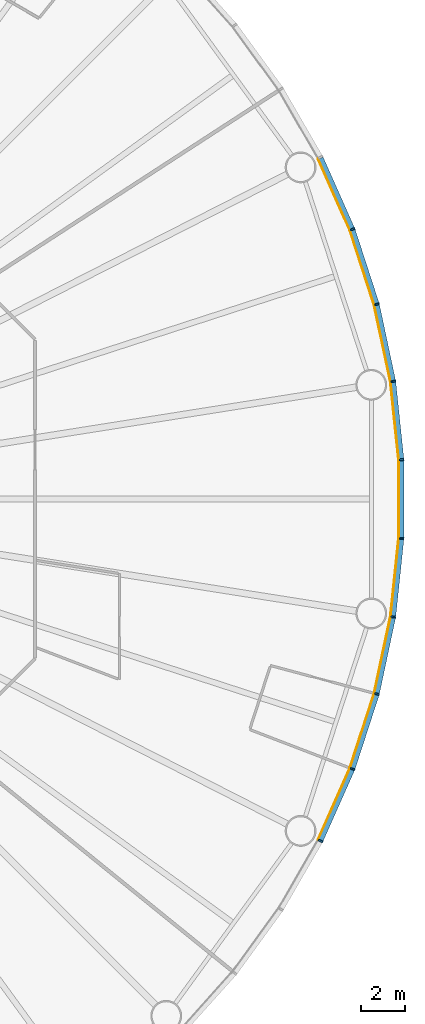
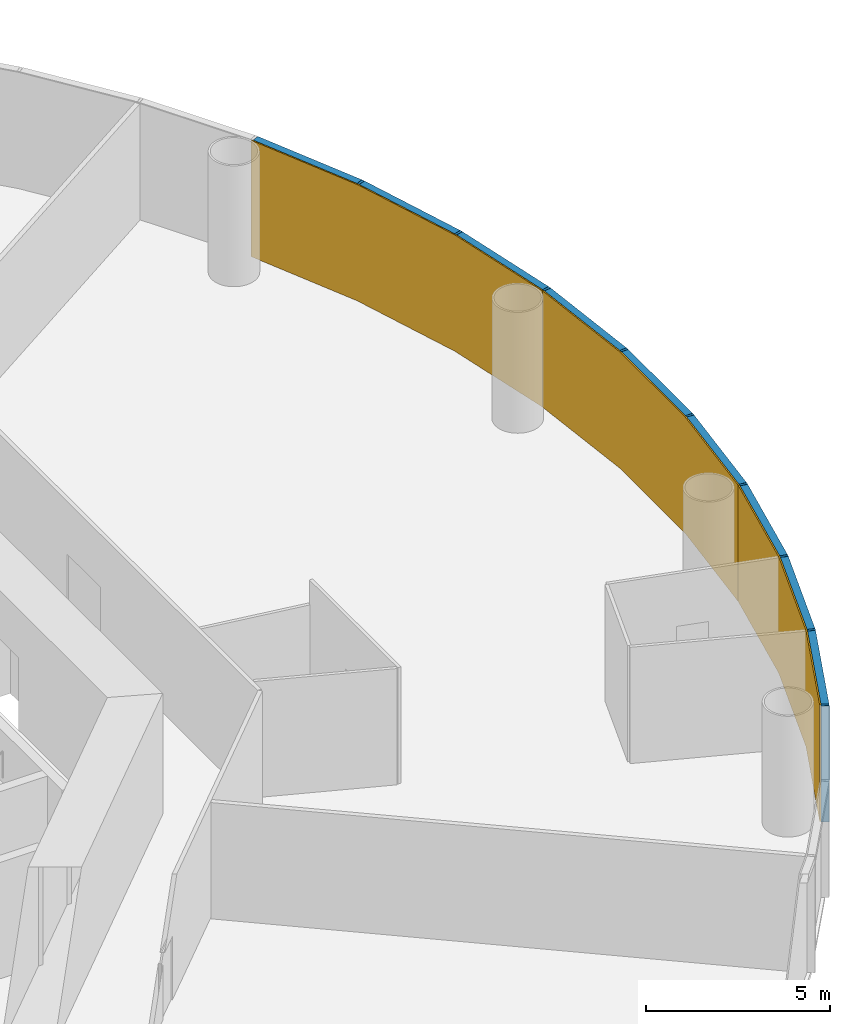
# One storey, part 11 of 13: 18 members, 3 curtain walls.
"""IFC4 building model written with IfcOpenShell, lengths in metres."""

from ifc_helpers import new_model, si_unit, direction, frame, origin, origin_2d, place, context, subcontext, project, spatial, polyline, rectangle, outline, extrude, material, layer, layer_set, material_profile, profile_set, type_object, element, aggregate, save


model = new_model("IFC4")

# Units and contexts
model_context = context("Model", 3, precision=1e-05, world=origin(), true_north=direction((0.0, 1.0)))
body_context = subcontext(model_context, "Body", "Model", "MODEL_VIEW")
ifc_project = project(units=[si_unit("LENGTHUNIT", "METRE"), si_unit("AREAUNIT", "SQUARE_METRE"), si_unit("VOLUMEUNIT", "CUBIC_METRE"), si_unit("PLANEANGLEUNIT", "RADIAN"), si_unit("MASSUNIT", "GRAM", prefix="KILO")], contexts=[model_context])

# Member
ifc_material_1 = material(Name="Anodised aluminium", Category="aluminium")
ifc_material_profile_1 = material_profile(ifc_material_1, rectangle(XDim=0.074951171875, YDim=0.219970703125, at=origin_2d()), Name="Mullion 75 x 220 mm anodised aluminium")
ifc_profile_set_1 = profile_set([ifc_material_profile_1], Name="Anodised aluminium")
member_type_1 = type_object("IfcMemberType", Name="Mullion 75 x 220 mm anodised aluminium", PredefinedType="MULLION", material=ifc_profile_set_1)
site_placement = place(None, origin())
building_placement = place(site_placement, origin())
storey_placement = place(building_placement, frame((0.0, 0.0, 30.0)))
member_1_placement = place(storey_placement, frame((123.68994140625, 85.3359375, 0.0), z_axis=(0.0, 0.0, 1.0), x_axis=(-0.15643446504, 0.987688340595, 0.0)))
member_1 = element("IfcMember", 1, at=member_1_placement, type_object=member_type_1, Name="MULLION L05-00", PredefinedType="MULLION", context=body_context, shape_type="SweptSolid", body=[
    extrude(rectangle(XDim=0.074951171875, YDim=0.219970703125, at=origin_2d()), origin(), (0.0, 0.0, 1.0), 3.85009765625),
])

member_2_placement = place(storey_placement, frame((122.94775390625, 88.828369140625, 0.0), z_axis=(0.0, 0.0, 1.0), x_axis=(-0.258819045103, 0.965925826289, 0.0)))
member_2 = element("IfcMember", 2, at=member_2_placement, type_object=member_type_1, Name="MULLION L05-01", PredefinedType="MULLION", context=body_context, shape_type="SweptSolid", body=[
    extrude(rectangle(XDim=0.074951171875, YDim=0.219970703125, at=origin_2d()), origin(), (0.0, 0.0, 1.0), 3.85009765625),
])

member_3_placement = place(storey_placement, frame((121.844482421875, 92.223876953125, 0.0), z_axis=(0.0, 0.0, 1.0), x_axis=(-0.358367949545, 0.933580426497, 0.0)))
member_3 = element("IfcMember", 3, at=member_3_placement, type_object=member_type_1, Name="MULLION L05-02", PredefinedType="MULLION", context=body_context, shape_type="SweptSolid", body=[
    extrude(rectangle(XDim=0.074951171875, YDim=0.219970703125, at=origin_2d()), origin(), (0.0, 0.0, 1.0), 3.85009765625),
])

member_4_placement = place(storey_placement, frame((120.392333984375, 64.514404296875, 0.0), z_axis=(0.0, 0.0, 1.0), x_axis=(0.45399049974, 0.891006524188, 0.0)))
member_4 = element("IfcMember", 4, at=member_4_placement, type_object=member_type_1, Name="MULLION L05-54", PredefinedType="MULLION", context=body_context, shape_type="SweptSolid", body=[
    extrude(rectangle(XDim=0.074951171875, YDim=0.219970703125, at=origin_2d()), origin(), (0.0, 0.0, 1.0), 3.85009765625),
])

member_5_placement = place(storey_placement, frame((121.844482421875, 67.776123046875, 0.0), z_axis=(0.0, 0.0, 1.0), x_axis=(0.358367949545, 0.933580426497, 0.0)))
member_5 = element("IfcMember", 5, at=member_5_placement, type_object=member_type_1, Name="MULLION L05-55", PredefinedType="MULLION", context=body_context, shape_type="SweptSolid", body=[
    extrude(rectangle(XDim=0.074951171875, YDim=0.219970703125, at=origin_2d()), origin(), (0.0, 0.0, 1.0), 3.85009765625),
])

member_6_placement = place(storey_placement, frame((122.94775390625, 71.171630859375, 0.0), z_axis=(0.0, 0.0, 1.0), x_axis=(0.258819045103, 0.965925826289, 0.0)))
member_6 = element("IfcMember", 6, at=member_6_placement, type_object=member_type_1, Name="MULLION L05-56", PredefinedType="MULLION", context=body_context, shape_type="SweptSolid", body=[
    extrude(rectangle(XDim=0.074951171875, YDim=0.219970703125, at=origin_2d()), origin(), (0.0, 0.0, 1.0), 3.85009765625),
])

member_7_placement = place(storey_placement, frame((123.68994140625, 74.6640625, 0.0), z_axis=(0.0, 0.0, 1.0), x_axis=(0.15643446504, 0.987688340595, 0.0)))
member_7 = element("IfcMember", 7, at=member_7_placement, type_object=member_type_1, Name="MULLION L05-57", PredefinedType="MULLION", context=body_context, shape_type="SweptSolid", body=[
    extrude(rectangle(XDim=0.074951171875, YDim=0.219970703125, at=origin_2d()), origin(), (0.0, 0.0, 1.0), 3.85009765625),
])

member_8_placement = place(storey_placement, frame((124.063232421875, 78.21484375, 0.0), z_axis=(0.0, 0.0, 1.0), x_axis=(0.052335956243, 0.998629534755, 0.0)))
member_8 = element("IfcMember", 8, at=member_8_placement, type_object=member_type_1, Name="MULLION L05-58", PredefinedType="MULLION", context=body_context, shape_type="SweptSolid", body=[
    extrude(rectangle(XDim=0.074951171875, YDim=0.219970703125, at=origin_2d()), origin(), (0.0, 0.0, 1.0), 3.85009765625),
])

member_9_placement = place(storey_placement, frame((124.063232421875, 81.78515625, 0.0), z_axis=(0.0, 0.0, 1.0), x_axis=(-0.052335956243, 0.998629534755, 0.0)))
member_9 = element("IfcMember", 9, at=member_9_placement, type_object=member_type_1, Name="MULLION L05-59", PredefinedType="MULLION", context=body_context, shape_type="SweptSolid", body=[
    extrude(rectangle(XDim=0.074951171875, YDim=0.219970703125, at=origin_2d()), origin(), (0.0, 0.0, 1.0), 3.85009765625),
])

ifc_material_2 = material(Name="Anodised aluminium", Category="aluminium")
ifc_material_profile_2 = material_profile(ifc_material_2, rectangle(XDim=0.219970703125, YDim=0.199951171875, at=origin_2d()), Name="Transom 200 x 220 mm anodised aluminium")
ifc_profile_set_2 = profile_set([ifc_material_profile_2], Name="Anodised aluminium")
member_type_2 = type_object("IfcMemberType", Name="Transom 200 x 220 mm anodised aluminium", PredefinedType="USERDEFINED", material=ifc_profile_set_2)
member_10_placement = place(storey_placement, frame((123.68115234375, 85.37841796875, 3.75), z_axis=(-0.207920776701, 0.978145669426, 0.0), x_axis=(-0.978145669426, -0.207920776701, 0.0)))
member_10 = element("IfcMember", 10, at=member_10_placement, type_object=member_type_2, Name="TRANSOM L05-00", ObjectType="TRANSOM", PredefinedType="USERDEFINED", context=body_context, shape_type="SweptSolid", body=[
    extrude(rectangle(XDim=0.219970703125, YDim=0.199951171875, at=origin_2d()), origin(), (0.0, 0.0, 1.0), 3.48388671875),
])

member_11_placement = place(storey_placement, frame((122.9345703125, 88.869384765625, 3.75), z_axis=(-0.309029029702, 0.951052605696, 0.0), x_axis=(-0.951052605696, -0.309029029702, 0.0)))
member_11 = element("IfcMember", 11, at=member_11_placement, type_object=member_type_2, Name="TRANSOM L05-01", ObjectType="TRANSOM", PredefinedType="USERDEFINED", context=body_context, shape_type="SweptSolid", body=[
    extrude(rectangle(XDim=0.219970703125, YDim=0.199951171875, at=origin_2d()), origin(), (0.0, 0.0, 1.0), 3.484130859375),
])

member_12_placement = place(storey_placement, frame((121.826904296875, 92.263427734375, 3.75), z_axis=(-0.406736576304, 0.913545487371, 0.0), x_axis=(-0.913545487371, -0.406736576304, 0.0)))
member_12 = element("IfcMember", 12, at=member_12_placement, type_object=member_type_2, Name="TRANSOM L05-02", ObjectType="TRANSOM", PredefinedType="USERDEFINED", context=body_context, shape_type="SweptSolid", body=[
    extrude(rectangle(XDim=0.219970703125, YDim=0.199951171875, at=origin_2d()), origin(), (0.0, 0.0, 1.0), 3.48388671875),
])

member_13_placement = place(storey_placement, frame((120.409912109375, 64.553955078125, 3.75), z_axis=(0.406736576304, 0.913545487371, 0.0), x_axis=(-0.913545487371, 0.406736576304, 0.0)))
member_13 = element("IfcMember", 13, at=member_13_placement, type_object=member_type_2, Name="TRANSOM L05-54", ObjectType="TRANSOM", PredefinedType="USERDEFINED", context=body_context, shape_type="SweptSolid", body=[
    extrude(rectangle(XDim=0.219970703125, YDim=0.199951171875, at=origin_2d()), origin(), (0.0, 0.0, 1.0), 3.48388671875),
])

member_14_placement = place(storey_placement, frame((121.85791015625, 67.817138671875, 3.75), z_axis=(0.309029029702, 0.951052605696, 0.0), x_axis=(-0.951052605696, 0.309029029702, 0.0)))
member_14 = element("IfcMember", 14, at=member_14_placement, type_object=member_type_2, Name="TRANSOM L05-55", ObjectType="TRANSOM", PredefinedType="USERDEFINED", context=body_context, shape_type="SweptSolid", body=[
    extrude(rectangle(XDim=0.219970703125, YDim=0.199951171875, at=origin_2d()), origin(), (0.0, 0.0, 1.0), 3.484130859375),
])

member_15_placement = place(storey_placement, frame((122.956787109375, 71.2138671875, 3.75), z_axis=(0.207920776701, 0.978145669426, 0.0), x_axis=(-0.978145669426, 0.207920776701, 0.0)))
member_15 = element("IfcMember", 15, at=member_15_placement, type_object=member_type_2, Name="TRANSOM L05-56", ObjectType="TRANSOM", PredefinedType="USERDEFINED", context=body_context, shape_type="SweptSolid", body=[
    extrude(rectangle(XDim=0.219970703125, YDim=0.199951171875, at=origin_2d()), origin(), (0.0, 0.0, 1.0), 3.48388671875),
])

member_16_placement = place(storey_placement, frame((123.69482421875, 74.70703125, 3.75), z_axis=(0.104484152234, 0.994526551648, 0.0), x_axis=(-0.994526551648, 0.104484152234, 0.0)))
member_16 = element("IfcMember", 16, at=member_16_placement, type_object=member_type_2, Name="TRANSOM L05-57", ObjectType="TRANSOM", PredefinedType="USERDEFINED", context=body_context, shape_type="SweptSolid", body=[
    extrude(rectangle(XDim=0.219970703125, YDim=0.199951171875, at=origin_2d()), origin(), (0.0, 0.0, 1.0), 3.48388671875),
])

member_17_placement = place(storey_placement, frame((124.0634765625, 78.258056640625, 3.75), z_axis=(0.0, 1.0, 0.0), x_axis=(-1.0, 0.0, 0.0)))
member_17 = element("IfcMember", 17, at=member_17_placement, type_object=member_type_2, Name="TRANSOM L05-58", ObjectType="TRANSOM", PredefinedType="USERDEFINED", context=body_context, shape_type="SweptSolid", body=[
    extrude(rectangle(XDim=0.219970703125, YDim=0.199951171875, at=origin_2d()), origin(), (0.0, 0.0, 1.0), 3.48388671875),
])

member_18_placement = place(storey_placement, frame((124.058837890625, 81.828125, 3.75), z_axis=(-0.104484152234, 0.994526551648, 0.0), x_axis=(-0.994526551648, -0.104484152234, 0.0)))
member_18 = element("IfcMember", 18, at=member_18_placement, type_object=member_type_2, Name="TRANSOM L05-59", ObjectType="TRANSOM", PredefinedType="USERDEFINED", context=body_context, shape_type="SweptSolid", body=[
    extrude(rectangle(XDim=0.219970703125, YDim=0.199951171875, at=origin_2d()), origin(), (0.0, 0.0, 1.0), 3.48388671875),
])

# Site, building, storey
site = spatial("IfcSite", under=ifc_project, at=site_placement, CompositionType="ELEMENT")
building = spatial("IfcBuilding", under=site, at=building_placement, Name="Entoto Ring Tower", CompositionType="ELEMENT")
storey = spatial("IfcBuildingStorey", under=building, at=storey_placement, Name="L05", CompositionType="ELEMENT", Elevation=30.0)

# Curtain wall
ifc_material_3 = material(Name="Clear low-iron glass", Category="glass")
ifc_layer = layer(ifc_material_3, 0.0400390625)
ifc_layer_set = layer_set([ifc_layer], Name="Clear low-iron glass")
curtain_wall_type = type_object("IfcCurtainWallType", Name="Curtain wall system CW1 glazing 40 mm", PredefinedType="NOTDEFINED", material=ifc_layer_set)
curtain_wall_1_placement = place(storey_placement, origin())
curtain_wall_1 = element("IfcCurtainWall", 19, at=curtain_wall_1_placement, inside=storey, type_object=curtain_wall_type, Name="CW1 L05-01", PredefinedType="NOTDEFINED", context=body_context, shape_type="SweptSolid", body=[
    extrude(outline(polyline([(123.581298828125, 85.31884765625), (122.841552734375, 88.7998046875), (121.74169921875, 92.1845703125), (120.294189453125, 95.435791015625), (120.258544921875, 95.41748046875), (121.704345703125, 92.170166015625), (122.802734375, 88.78955078125), (123.541748046875, 85.3125), (123.581298828125, 85.31884765625)])), origin(), (0.0, 0.0, 1.0), 3.85009765625),
])

aggregate(curtain_wall_1, [member_1, member_2, member_3, member_10, member_11, member_12])

curtain_wall_2_placement = place(storey_placement, origin())
curtain_wall_2 = element("IfcCurtainWall", 20, at=curtain_wall_2_placement, inside=storey, type_object=curtain_wall_type, Name="CW1 L05-19", PredefinedType="NOTDEFINED", context=body_context, shape_type="SweptSolid", body=[
    extrude(outline(polyline([(120.294189453125, 64.564208984375), (121.74169921875, 67.8154296875), (122.841552734375, 71.2001953125), (123.581298828125, 74.68115234375), (123.541748046875, 74.6875), (122.802734375, 71.21044921875), (121.704345703125, 67.829833984375), (120.258544921875, 64.58251953125), (120.294189453125, 64.564208984375)])), origin(), (0.0, 0.0, 1.0), 3.85009765625),
])

aggregate(curtain_wall_2, [member_4, member_5, member_6, member_13, member_14, member_15])

curtain_wall_3_placement = place(storey_placement, origin())
curtain_wall_3 = element("IfcCurtainWall", 21, at=curtain_wall_3_placement, inside=storey, type_object=curtain_wall_type, Name="CW1 L05-20", PredefinedType="NOTDEFINED", context=body_context, shape_type="SweptSolid", body=[
    extrude(outline(polyline([(123.581298828125, 74.68115234375), (123.953369140625, 78.220458984375), (123.953369140625, 81.779541015625), (123.581298828125, 85.31884765625), (123.541748046875, 85.3125), (123.913330078125, 81.77734375), (123.913330078125, 78.22265625), (123.541748046875, 74.6875), (123.581298828125, 74.68115234375)])), origin(), (0.0, 0.0, 1.0), 3.85009765625),
])

aggregate(curtain_wall_3, [member_7, member_8, member_9, member_16, member_17, member_18])

save(model, "model.ifc")
